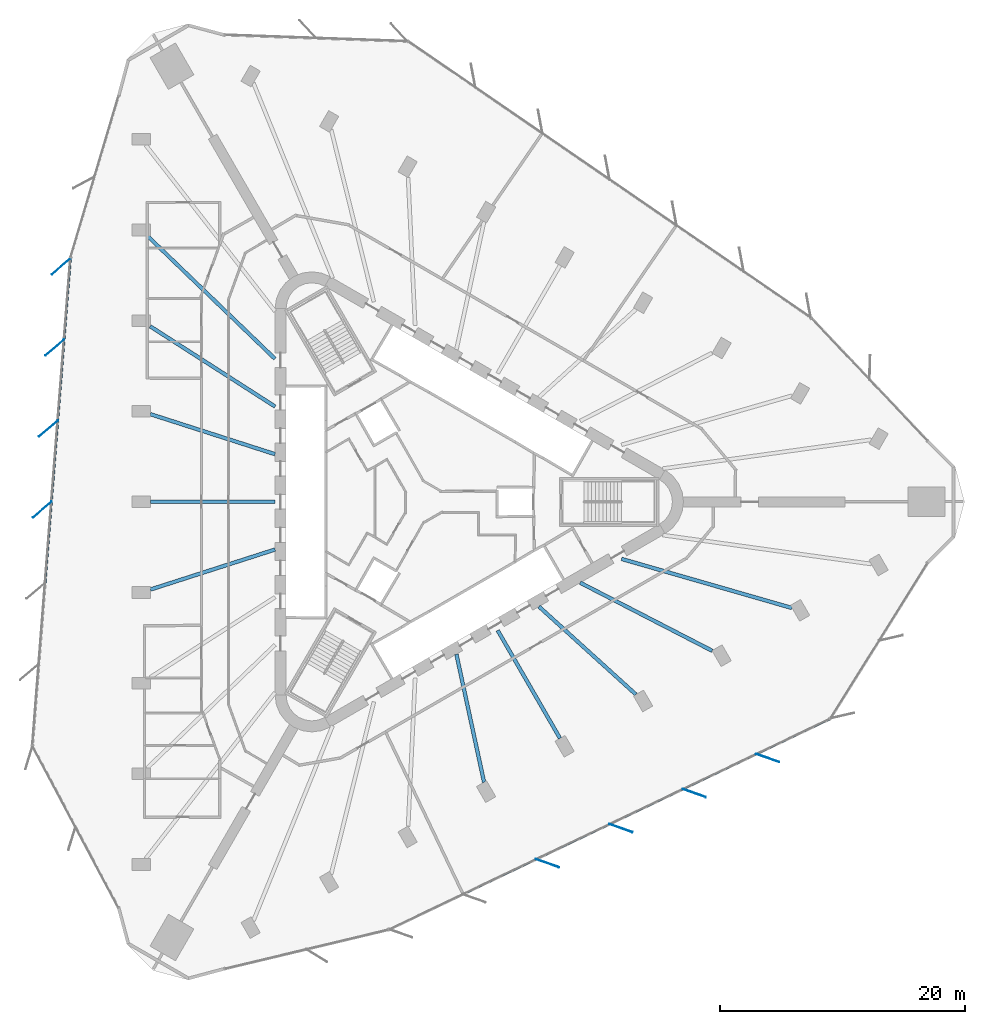
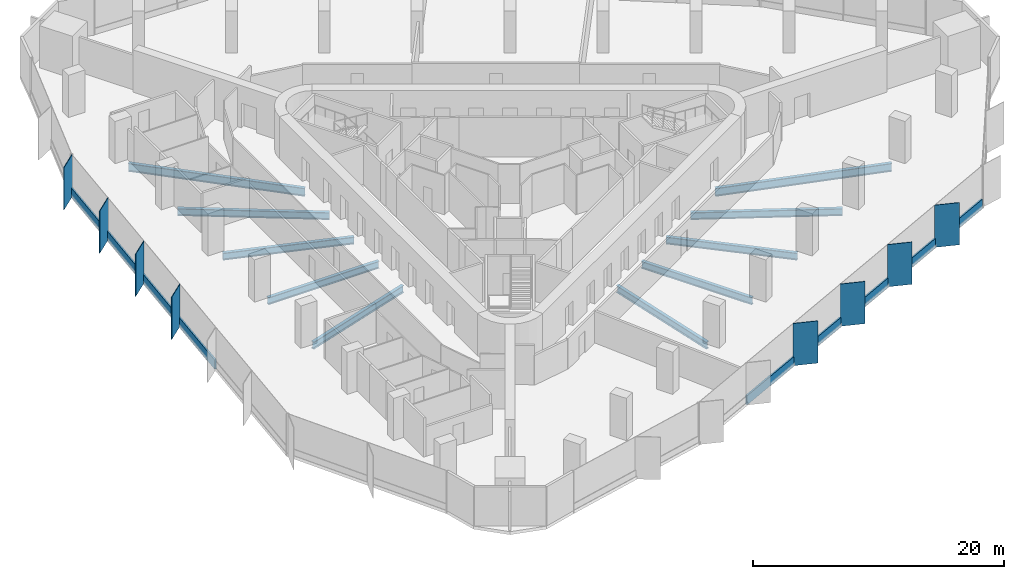
# One storey, part 3 of 15: 17 members, 10 beams, 2 elements without a shape of their own.
"""IFC4 building model written with IfcOpenShell, lengths in metres."""

from ifc_helpers import new_model, si_unit, direction, frame, origin, origin_2d, place, context, subcontext, project, spatial, rectangle, i_section, extrude, material, material_profile, profile_set, type_object, element, aggregate, save


model = new_model("IFC4")

# Units and contexts
model_context = context("Model", 3, precision=1e-05, world=origin(), true_north=direction((0.0, 1.0)))
body_context = subcontext(model_context, "Body", "Model", "MODEL_VIEW")
ifc_project = project(units=[si_unit("LENGTHUNIT", "METRE"), si_unit("AREAUNIT", "SQUARE_METRE"), si_unit("VOLUMEUNIT", "CUBIC_METRE"), si_unit("PLANEANGLEUNIT", "RADIAN"), si_unit("MASSUNIT", "GRAM", prefix="KILO")], contexts=[model_context])

# Site, building, storey
site_placement = place(None, origin())
site = spatial("IfcSite", under=ifc_project, at=site_placement, CompositionType="ELEMENT")
building_placement = place(site_placement, origin())
building = spatial("IfcBuilding", under=site, at=building_placement, Name="Tanit Gate Tower", CompositionType="ELEMENT")
storey_placement = place(building_placement, frame((0.0, 0.0, 98.800048828125)))
storey = spatial("IfcBuildingStorey", under=building, at=storey_placement, Name="L20", CompositionType="ELEMENT", Elevation=98.800048828125)

# Curtain wall, members
ifc_material_1 = material(Name="Aluminium bronze anodised and glass", Category="aluminium")
curtain_wall_type = type_object("IfcCurtainWallType", Name="Curtain wall typical low", PredefinedType="NOTDEFINED", material=ifc_material_1)
curtain_wall_1_placement = place(storey_placement, origin())
curtain_wall_1 = element("IfcCurtainWall", 1, at=curtain_wall_1_placement, inside=storey, type_object=curtain_wall_type, Name="Curtain wall L20 W2", PredefinedType="NOTDEFINED")
ifc_material_2 = material(Name="Aluminium bronze anodised", Category="aluminium")
ifc_material_profile_1 = material_profile(ifc_material_2, rectangle(XDim=2.0, YDim=0.055908203125, at=origin_2d()), Name="56x2000 bronze fin mullion")
ifc_profile_set_1 = profile_set([ifc_material_profile_1], Name="Aluminium bronze anodised")
member_type_1 = type_object("IfcMemberType", Name="FIN MULLION 56x2000 bronze", PredefinedType="MULLION", material=ifc_profile_set_1)
member_1_placement = place(storey_placement, frame((-29.541259765625, 19.20703125, -0.300048828125), z_axis=(0.0, 0.0, 1.0), x_axis=(0.760001580735, 0.649921223903, 0.0)))
member_1 = element("IfcMember", 2, at=member_1_placement, type_object=member_type_1, Name="Fin mullion L20 W2.1", PredefinedType="MULLION", context=body_context, shape_type="SweptSolid", body=[
    extrude(rectangle(XDim=2.0, YDim=0.055908203125, at=origin_2d()), origin(), (0.0, 0.0, 1.0), 4.10009765625),
])
member_2_placement = place(storey_placement, frame((-30.0576171875, 12.593505859375, -0.300048828125), z_axis=(0.0, 0.0, 1.0), x_axis=(0.760001580735, 0.649921223903, 0.0)))
member_2 = element("IfcMember", 3, at=member_2_placement, type_object=member_type_1, Name="Fin mullion L20 W2.2", PredefinedType="MULLION", context=body_context, shape_type="SweptSolid", body=[
    extrude(rectangle(XDim=2.0, YDim=0.055908203125, at=origin_2d()), origin(), (0.0, 0.0, 1.0), 4.10009765625),
])
member_3_placement = place(storey_placement, frame((-30.573974609375, 5.97998046875, -0.300048828125), z_axis=(0.0, 0.0, 1.0), x_axis=(0.760001580735, 0.649921223903, 0.0)))
member_3 = element("IfcMember", 4, at=member_3_placement, type_object=member_type_1, Name="Fin mullion L20 W2.3", PredefinedType="MULLION", context=body_context, shape_type="SweptSolid", body=[
    extrude(rectangle(XDim=2.0, YDim=0.055908203125, at=origin_2d()), origin(), (0.0, 0.0, 1.0), 4.10009765625),
])
member_4_placement = place(storey_placement, frame((-31.09033203125, -0.633544921875, -0.300048828125), z_axis=(0.0, 0.0, 1.0), x_axis=(0.760001580735, 0.649921223903, 0.0)))
member_4 = element("IfcMember", 5, at=member_4_placement, type_object=member_type_1, Name="Fin mullion L20 W2.4", PredefinedType="MULLION", context=body_context, shape_type="SweptSolid", body=[
    extrude(rectangle(XDim=2.0, YDim=0.055908203125, at=origin_2d()), origin(), (0.0, 0.0, 1.0), 4.10009765625),
])

curtain_wall_2_placement = place(storey_placement, origin())
curtain_wall_2 = element("IfcCurtainWall", 6, at=curtain_wall_2_placement, inside=storey, type_object=curtain_wall_type, Name="Curtain wall L20 SE2", PredefinedType="NOTDEFINED")
member_5_placement = place(storey_placement, frame((10.108154296875, -29.4677734375, -0.300048828125), z_axis=(0.0, 0.0, 1.0), x_axis=(-0.942849080727, 0.333220063881, 0.0)))
member_5 = element("IfcMember", 7, at=member_5_placement, type_object=member_type_1, Name="Fin mullion L20 SE2.3", PredefinedType="MULLION", context=body_context, shape_type="SweptSolid", body=[
    extrude(rectangle(XDim=2.0, YDim=0.055908203125, at=origin_2d()), origin(), (0.0, 0.0, 1.0), 4.10009765625),
])
member_6_placement = place(storey_placement, frame((16.09375, -26.608154296875, -0.300048828125), z_axis=(0.0, 0.0, 1.0), x_axis=(-0.942849080727, 0.333220063881, 0.0)))
member_6 = element("IfcMember", 8, at=member_6_placement, type_object=member_type_1, Name="Fin mullion L20 SE2.4", PredefinedType="MULLION", context=body_context, shape_type="SweptSolid", body=[
    extrude(rectangle(XDim=2.0, YDim=0.055908203125, at=origin_2d()), origin(), (0.0, 0.0, 1.0), 4.10009765625),
])
member_7_placement = place(storey_placement, frame((22.079345703125, -23.74853515625, -0.300048828125), z_axis=(0.0, 0.0, 1.0), x_axis=(-0.942849080727, 0.333220063881, 0.0)))
member_7 = element("IfcMember", 9, at=member_7_placement, type_object=member_type_1, Name="Fin mullion L20 SE2.5", PredefinedType="MULLION", context=body_context, shape_type="SweptSolid", body=[
    extrude(rectangle(XDim=2.0, YDim=0.055908203125, at=origin_2d()), origin(), (0.0, 0.0, 1.0), 4.10009765625),
])
member_8_placement = place(storey_placement, frame((28.06494140625, -20.888916015625, -0.300048828125), z_axis=(0.0, 0.0, 1.0), x_axis=(-0.942849080727, 0.333220063881, 0.0)))
member_8 = element("IfcMember", 10, at=member_8_placement, type_object=member_type_1, Name="Fin mullion L20 SE2.6", PredefinedType="MULLION", context=body_context, shape_type="SweptSolid", body=[
    extrude(rectangle(XDim=2.0, YDim=0.055908203125, at=origin_2d()), origin(), (0.0, 0.0, 1.0), 4.10009765625),
])

# Beams
ifc_material_3 = material(Name="Steel S355", Category="steel")
ifc_material_profile_2 = material_profile(ifc_material_3, i_section(OverallWidth=0.300048828125, OverallDepth=0.68994140625, WebThickness=0.014404296875, FlangeThickness=0.027099609375, FilletRadius=0.027099609375, at=origin_2d()), Name="HEA 700")
ifc_profile_set_2 = profile_set([ifc_material_profile_2], Name="Steel S355")
beam_type_1 = type_object("IfcBeamType", Name="RADIAL GIRDER HEA 700 S355", PredefinedType="BEAM", material=ifc_profile_set_2)
beam_1_placement = place(storey_placement, frame((-22.267822265625, -7.150634765625, -0.64501953125), z_axis=(0.952108228796, 0.305761215098, 0.0), x_axis=(-0.305761215098, 0.952108228796, 0.0)))
element("IfcBeam", 11, at=beam_1_placement, inside=storey, type_object=beam_type_1, Name="RADIAL GIRDER", PredefinedType="BEAM", context=body_context, shape_type="SweptSolid", body=[
    extrude(i_section(OverallWidth=0.300048828125, OverallDepth=0.68994140625, WebThickness=0.014404296875, FlangeThickness=0.027099609375, FilletRadius=0.027099609375, at=origin_2d()), origin(), (0.0, 0.0, 1.0), 10.677001953125),
])
beam_2_placement = place(storey_placement, frame((4.94140625, -22.85986328125, -0.64501953125), z_axis=(-0.211276115388, 0.977426418236, 0.0), x_axis=(-0.977426418236, -0.211276115388, 0.0)))
element("IfcBeam", 12, at=beam_2_placement, inside=storey, type_object=beam_type_1, Name="RADIAL GIRDER", PredefinedType="BEAM", context=body_context, shape_type="SweptSolid", body=[
    extrude(i_section(OverallWidth=0.300048828125, OverallDepth=0.68994140625, WebThickness=0.014404296875, FlangeThickness=0.027099609375, FilletRadius=0.027099609375, at=origin_2d()), origin(), (0.0, 0.0, 1.0), 10.67724609375),
])
beam_3_placement = place(storey_placement, frame((11.134033203125, -19.28466796875, -0.64501953125), z_axis=(-0.500003096968, 0.866023615742, 0.0), x_axis=(-0.866023615742, -0.500003096968, 0.0)))
element("IfcBeam", 13, at=beam_3_placement, inside=storey, type_object=beam_type_1, Name="RADIAL GIRDER", PredefinedType="BEAM", context=body_context, shape_type="SweptSolid", body=[
    extrude(i_section(OverallWidth=0.300048828125, OverallDepth=0.68994140625, WebThickness=0.014404296875, FlangeThickness=0.027099609375, FilletRadius=0.027099609375, at=origin_2d()), origin(), (0.0, 0.0, 1.0), 10.166015625),
])
beam_4_placement = place(storey_placement, frame((17.326416015625, -15.709228515625, -0.64501953125), z_axis=(-0.740834398556, 0.671687720534, 0.0), x_axis=(-0.671687720534, -0.740834398556, 0.0)))
element("IfcBeam", 14, at=beam_4_placement, inside=storey, type_object=beam_type_1, Name="RADIAL GIRDER", PredefinedType="BEAM", context=body_context, shape_type="SweptSolid", body=[
    extrude(i_section(OverallWidth=0.300048828125, OverallDepth=0.68994140625, WebThickness=0.014404296875, FlangeThickness=0.027099609375, FilletRadius=0.027099609375, at=origin_2d()), origin(), (0.0, 0.0, 1.0), 10.677001953125),
])
for number, where, z_axis, x_axis, name in (
    (15, (23.530029296875, -12.1396484375, -0.64501953125), (-0.888695221305, 0.458498422713, 0.0), (-0.458498422713, -0.888695221305, 0.0), "RADIAL GIRDER"),
    (16, (-22.2783203125, 14.307861328125, -0.64501953125), (0.841413200644, -0.540392288788, 0.0), (0.540392288788, 0.841413200644, 0.0), "RADIAL GIRDER"),
):
    element("IfcBeam", number, at=place(storey_placement, frame(where, z_axis=z_axis, x_axis=x_axis)), inside=storey, type_object=beam_type_1, Name=name, PredefinedType="BEAM", context=body_context, shape_type="SweptSolid", body=[
        extrude(i_section(OverallWidth=0.300048828125, OverallDepth=0.68994140625, WebThickness=0.014404296875, FlangeThickness=0.027099609375, FilletRadius=0.027099609375, at=origin_2d()), origin(), (0.0, 0.0, 1.0), 12.09423828125),
    ])
beam_5_placement = place(storey_placement, frame((-22.267822265625, 7.150634765625, -0.64501953125), z_axis=(0.952108228796, -0.305761215098, 0.0), x_axis=(0.305761215098, 0.952108228796, 0.0)))
element("IfcBeam", 17, at=beam_5_placement, inside=storey, type_object=beam_type_1, Name="RADIAL GIRDER", PredefinedType="BEAM", context=body_context, shape_type="SweptSolid", body=[
    extrude(i_section(OverallWidth=0.300048828125, OverallDepth=0.68994140625, WebThickness=0.014404296875, FlangeThickness=0.027099609375, FilletRadius=0.027099609375, at=origin_2d()), origin(), (0.0, 0.0, 1.0), 10.677001953125),
])
beam_6_placement = place(storey_placement, frame((-22.267822265625, 0.0, -0.64501953125), z_axis=(1.0, 0.0, 0.0), x_axis=(0.0, 1.0, 0.0)))
element("IfcBeam", 18, at=beam_6_placement, inside=storey, type_object=beam_type_1, Name="RADIAL GIRDER", PredefinedType="BEAM", context=body_context, shape_type="SweptSolid", body=[
    extrude(i_section(OverallWidth=0.300048828125, OverallDepth=0.68994140625, WebThickness=0.014404296875, FlangeThickness=0.027099609375, FilletRadius=0.027099609375, at=origin_2d()), origin(), (0.0, 0.0, 1.0), 10.165771484375),
])
ifc_material_4 = material(Name="Steel S355", Category="steel")
ifc_material_profile_3 = material_profile(ifc_material_4, i_section(OverallWidth=0.300048828125, OverallDepth=0.7900390625, WebThickness=0.014892578125, FlangeThickness=0.028076171875, FilletRadius=0.030029296875, at=origin_2d()), Name="HEA 800")
ifc_profile_set_3 = profile_set([ifc_material_profile_3], Name="Steel S355")
beam_type_2 = type_object("IfcBeamType", Name="RADIAL GIRDER HEA 800 S355", PredefinedType="BEAM", material=ifc_profile_set_3)
for number, where, z_axis, x_axis, name in (
    (19, (30.0546875, -8.657470703125, -0.695068359375), (-0.960925208755, 0.276808134236, 0.0), (-0.276808134236, -0.960925208755, 0.0), "RADIAL GIRDER"),
    (20, (-22.52490234375, 21.69921875, -0.695068359375), (0.720183780424, -0.693783339677, 0.0), (0.693783339677, 0.720183780424, 0.0), "RADIAL GIRDER"),
):
    element("IfcBeam", number, at=place(storey_placement, frame(where, z_axis=z_axis, x_axis=x_axis)), inside=storey, type_object=beam_type_2, Name=name, PredefinedType="BEAM", context=body_context, shape_type="SweptSolid", body=[
        extrude(i_section(OverallWidth=0.300048828125, OverallDepth=0.7900390625, WebThickness=0.014892578125, FlangeThickness=0.028076171875, FilletRadius=0.030029296875, at=origin_2d()), origin(), (0.0, 0.0, 1.0), 14.472412109375),
    ])

# Member
ifc_material_5 = material(Name="Aluminium bronze anodised", Category="aluminium")
ifc_material_profile_4 = material_profile(ifc_material_5, rectangle(XDim=0.159912109375, YDim=0.89990234375, at=origin_2d()), Name="160x900 bronze transom")
ifc_profile_set_4 = profile_set([ifc_material_profile_4], Name="Aluminium bronze anodised")
member_type_2 = type_object("IfcMemberType", Name="Transom 160x900 typical low", PredefinedType="USERDEFINED", material=ifc_profile_set_4)
member_9_placement = place(storey_placement, frame((-28.801513671875, 19.802490234375, 0.14990234375), z_axis=(-0.077821712604, -0.996967291864, 0.0), x_axis=(0.996967291864, -0.077821712604, 0.0)))
member_9 = element("IfcMember", 21, at=member_9_placement, type_object=member_type_2, Name="Transom L20 W2.1", ObjectType="TRANSOM", PredefinedType="USERDEFINED", context=body_context, shape_type="SweptSolid", body=[
    extrude(rectangle(XDim=0.159912109375, YDim=0.89990234375, at=origin_2d()), origin(), (0.0, 0.0, 1.0), 6.553466796875),
])

member_10_placement = place(storey_placement, frame((-29.31787109375, 13.18896484375, 0.14990234375), z_axis=(-0.077818822403, -0.996967517465, 0.0), x_axis=(0.996967517465, -0.077818822403, 0.0)))
member_10 = element("IfcMember", 22, at=member_10_placement, type_object=member_type_2, Name="Transom L20 W2.2", ObjectType="TRANSOM", PredefinedType="USERDEFINED", context=body_context, shape_type="SweptSolid", body=[
    extrude(rectangle(XDim=0.159912109375, YDim=0.89990234375, at=origin_2d()), origin(), (0.0, 0.0, 1.0), 6.5537109375),
])

member_11_placement = place(storey_placement, frame((-29.834228515625, 6.575439453125, 0.14990234375), z_axis=(-0.077821712604, -0.996967291864, 0.0), x_axis=(0.996967291864, -0.077821712604, 0.0)))
member_11 = element("IfcMember", 23, at=member_11_placement, type_object=member_type_2, Name="Transom L20 W2.3", ObjectType="TRANSOM", PredefinedType="USERDEFINED", context=body_context, shape_type="SweptSolid", body=[
    extrude(rectangle(XDim=0.159912109375, YDim=0.89990234375, at=origin_2d()), origin(), (0.0, 0.0, 1.0), 6.553466796875),
])

member_12_placement = place(storey_placement, frame((-30.3505859375, -0.0380859375, 0.14990234375), z_axis=(-0.077818822403, -0.996967517465, 0.0), x_axis=(0.996967517465, -0.077818822403, 0.0)))
member_12 = element("IfcMember", 24, at=member_12_placement, type_object=member_type_2, Name="Transom L20 W2.4", ObjectType="TRANSOM", PredefinedType="USERDEFINED", context=body_context, shape_type="SweptSolid", body=[
    extrude(rectangle(XDim=0.159912109375, YDim=0.89990234375, at=origin_2d()), origin(), (0.0, 0.0, 1.0), 6.5537109375),
])

aggregate(curtain_wall_1, [member_1, member_2, member_3, member_4, member_9, member_10, member_11, member_12])

member_13_placement = place(storey_placement, frame((3.237060546875, -31.984375, 0.14990234375), z_axis=(0.902322009414, 0.4310626304, 0.0), x_axis=(-0.4310626304, 0.902322009414, 0.0)))
member_13 = element("IfcMember", 25, at=member_13_placement, type_object=member_type_2, Name="Transom L20 SE2.2", ObjectType="TRANSOM", PredefinedType="USERDEFINED", context=body_context, shape_type="SweptSolid", body=[
    extrude(rectangle(XDim=0.159912109375, YDim=0.89990234375, at=origin_2d()), origin(), (0.0, 0.0, 1.0), 6.553466796875),
])

member_14_placement = place(storey_placement, frame((9.22265625, -29.124755859375, 0.14990234375), z_axis=(0.902322009414, 0.4310626304, 0.0), x_axis=(-0.4310626304, 0.902322009414, 0.0)))
member_14 = element("IfcMember", 26, at=member_14_placement, type_object=member_type_2, Name="Transom L20 SE2.3", ObjectType="TRANSOM", PredefinedType="USERDEFINED", context=body_context, shape_type="SweptSolid", body=[
    extrude(rectangle(XDim=0.159912109375, YDim=0.89990234375, at=origin_2d()), origin(), (0.0, 0.0, 1.0), 6.553466796875),
])

member_15_placement = place(storey_placement, frame((15.208251953125, -26.265380859375, 0.14990234375), z_axis=(0.902314441847, 0.431078470855, 0.0), x_axis=(-0.431078470855, 0.902314441847, 0.0)))
member_15 = element("IfcMember", 27, at=member_15_placement, type_object=member_type_2, Name="Transom L20 SE2.4", ObjectType="TRANSOM", PredefinedType="USERDEFINED", context=body_context, shape_type="SweptSolid", body=[
    extrude(rectangle(XDim=0.159912109375, YDim=0.89990234375, at=origin_2d()), origin(), (0.0, 0.0, 1.0), 6.5537109375),
])

member_16_placement = place(storey_placement, frame((21.194091796875, -23.40576171875, 0.14990234375), z_axis=(0.902307519036, 0.431092961079, 0.0), x_axis=(-0.431092961079, 0.902307519036, 0.0)))
member_16 = element("IfcMember", 28, at=member_16_placement, type_object=member_type_2, Name="Transom L20 SE2.5", ObjectType="TRANSOM", PredefinedType="USERDEFINED", context=body_context, shape_type="SweptSolid", body=[
    extrude(rectangle(XDim=0.159912109375, YDim=0.89990234375, at=origin_2d()), origin(), (0.0, 0.0, 1.0), 6.553466796875),
])

member_17_placement = place(storey_placement, frame((27.1796875, -20.546142578125, 0.14990234375), z_axis=(0.902307519036, 0.431092961079, 0.0), x_axis=(-0.431092961079, 0.902307519036, 0.0)))
member_17 = element("IfcMember", 29, at=member_17_placement, type_object=member_type_2, Name="Transom L20 SE2.6", ObjectType="TRANSOM", PredefinedType="USERDEFINED", context=body_context, shape_type="SweptSolid", body=[
    extrude(rectangle(XDim=0.159912109375, YDim=0.89990234375, at=origin_2d()), origin(), (0.0, 0.0, 1.0), 6.553466796875),
])

aggregate(curtain_wall_2, [member_5, member_6, member_7, member_8, member_13, member_14, member_15, member_16, member_17])

save(model, "model.ifc")
